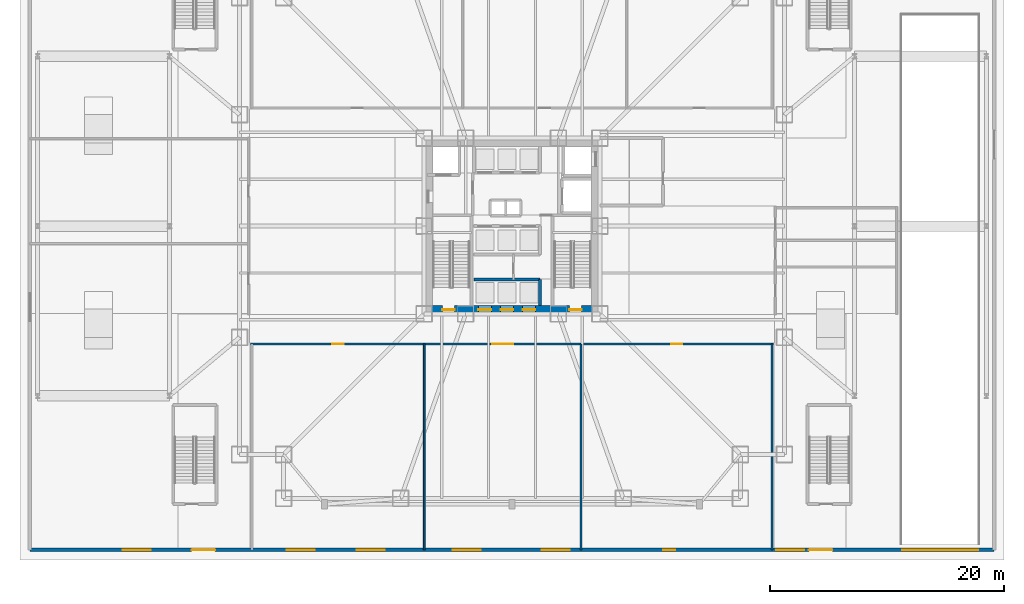
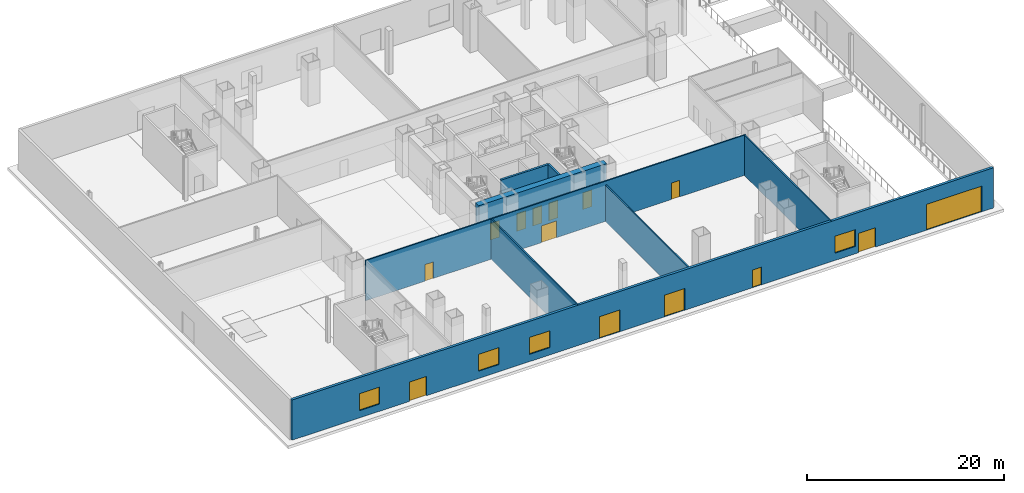
# One storey, part 7 of 24: 14 doors, 8 walls, 4 windows, 18 openings.
"""IFC4 building model written with IfcOpenShell, lengths in metres."""

from ifc_helpers import new_model, si_unit, direction, frame, frame_2d, origin, place, context, subcontext, project, spatial, rectangle, extrude, material, layer, layer_set, type_object, element, fill, save


model = new_model("IFC4")

# Units and contexts
model_context = context("Model", 3, precision=1e-05, world=origin(), true_north=direction((0.0, 1.0)))
body_context = subcontext(model_context, "Body", "Model", "MODEL_VIEW")
ifc_project = project(units=[si_unit("LENGTHUNIT", "METRE"), si_unit("AREAUNIT", "SQUARE_METRE"), si_unit("VOLUMEUNIT", "CUBIC_METRE"), si_unit("PLANEANGLEUNIT", "RADIAN"), si_unit("MASSUNIT", "GRAM", prefix="KILO")], contexts=[model_context])

# Site, building, storey
site_placement = place(None, origin())
site = spatial("IfcSite", under=ifc_project, at=site_placement, CompositionType="ELEMENT")
building_placement = place(site_placement, origin())
building = spatial("IfcBuilding", under=site, at=building_placement, Name="Trevonay Congress Spire", CompositionType="ELEMENT")
storey_placement = place(building_placement, origin())
storey = spatial("IfcBuildingStorey", under=building, at=storey_placement, Name="L00", CompositionType="ELEMENT", Elevation=0.0)

# Wall, openings, doors
ifc_material_1 = material(Name="Concrete C60/75", Category="concrete")
ifc_layer_1 = layer(ifc_material_1, 0.699951171875, Name="Concrete C60/75")
ifc_layer_set_1 = layer_set([ifc_layer_1], Name="Concrete C60/75")
wall_type_1 = type_object("IfcWallType", Name="WAL-CORE-700", PredefinedType="SHEAR", material=ifc_layer_set_1)
wall_1_placement = place(storey_placement, frame((-7.5, -7.14990234375, 0.0), z_axis=(0.0, 0.0, 1.0), x_axis=(1.0, 0.0, 0.0)))
wall_1 = element("IfcWall", 1, at=wall_1_placement, inside=storey, type_object=wall_type_1, Name="L00 South structural core shear wall", PredefinedType="SHEAR", context=body_context, shape_type="SweptSolid", body=[
    extrude(rectangle(XDim=15.0, YDim=0.699951171875, at=frame_2d((7.5, 0.0))), origin(), (0.0, 0.0, 1.0), 5.0),
])
opening_1_placement = place(wall_1_placement, frame((1.550048828125, 0.0, 0.0)))
opening_1 = element("IfcOpeningElement", 2, at=opening_1_placement, cuts=wall_1, Name="Opening D05", PredefinedType="OPENING", context=body_context, shape_type="SweptSolid", body=[
    extrude(rectangle(XDim=1.050048828125, YDim=2.080078125, at=frame_2d((0.52490234375, 1.0400390625))), frame((0.0, 0.35986328125, 0.0), z_axis=(0.0, -1.0, 0.0), x_axis=(1.0, 0.0, 0.0)), (0.0, 0.0, 1.0), 0.719970703125),
])
opening_2_placement = place(wall_1_placement, frame((12.39990234375, 0.0, 0.0)))
opening_2 = element("IfcOpeningElement", 3, at=opening_2_placement, cuts=wall_1, Name="Opening D05", PredefinedType="OPENING", context=body_context, shape_type="SweptSolid", body=[
    extrude(rectangle(XDim=1.050048828125, YDim=2.080078125, at=frame_2d((0.52490234375, 1.0400390625))), frame((0.0, 0.35986328125, 0.0), z_axis=(0.0, -1.0, 0.0), x_axis=(1.0, 0.0, 0.0)), (0.0, 0.0, 1.0), 0.719970703125),
])
opening_3_placement = place(wall_1_placement, frame((4.639892578125, 0.0, 0.0)))
opening_3 = element("IfcOpeningElement", 4, at=opening_3_placement, cuts=wall_1, Name="Opening LD01", PredefinedType="OPENING", context=body_context, shape_type="SweptSolid", body=[
    extrude(rectangle(XDim=1.10009765625, YDim=2.199951171875, at=frame_2d((0.550048828125, 1.10009765625))), frame((0.0, 0.35986328125, 0.0), z_axis=(0.0, -1.0, 0.0), x_axis=(1.0, 0.0, 0.0)), (0.0, 0.0, 1.0), 0.719970703125),
])
opening_4_placement = place(wall_1_placement, frame((6.52001953125, 0.0, 0.0)))
opening_4 = element("IfcOpeningElement", 5, at=opening_4_placement, cuts=wall_1, Name="Opening LD01", PredefinedType="OPENING", context=body_context, shape_type="SweptSolid", body=[
    extrude(rectangle(XDim=1.10009765625, YDim=2.199951171875, at=frame_2d((0.550048828125, 1.10009765625))), frame((0.0, 0.35986328125, 0.0), z_axis=(0.0, -1.0, 0.0), x_axis=(1.0, 0.0, 0.0)), (0.0, 0.0, 1.0), 0.719970703125),
])
opening_5_placement = place(wall_1_placement, frame((8.39990234375, 0.0, 0.0)))
opening_5 = element("IfcOpeningElement", 6, at=opening_5_placement, cuts=wall_1, Name="Opening LD01", PredefinedType="OPENING", context=body_context, shape_type="SweptSolid", body=[
    extrude(rectangle(XDim=1.10009765625, YDim=2.199951171875, at=frame_2d((0.550048828125, 1.10009765625))), frame((0.0, 0.35986328125, 0.0), z_axis=(0.0, -1.0, 0.0), x_axis=(1.0, 0.0, 0.0)), (0.0, 0.0, 1.0), 0.719970703125),
])
ifc_material_2 = material(Name="Pale Anodised Aluminium EN AW-6063-T6", Category="aluminium")
door_type_1 = type_object("IfcDoorType", Name="DOR-LIFT-LD01", OperationType="DOUBLE_DOOR_SLIDING", PredefinedType="DOOR", material=ifc_material_2)
door_1_placement = place(opening_3_placement, origin())
door_1 = element("IfcDoor", 7, at=door_1_placement, inside=storey, type_object=door_type_1, Name="L00 Passenger lift PL-01 landing door", OperationType="DOUBLE_DOOR_SLIDING", OverallHeight=2.199951171875, OverallWidth=1.10009765625, PredefinedType="DOOR", context=body_context, shape_type="SweptSolid", body=[
    extrude(rectangle(XDim=1.10009765625, YDim=2.199951171875, at=frame_2d((0.550048828125, 1.10009765625))), frame((0.0, 0.02490234375, 0.0), z_axis=(0.0, -1.0, 0.0), x_axis=(1.0, 0.0, 0.0)), (0.0, 0.0, 1.0), 0.050048828125),
])
fill(opening_3, door_1)
door_2_placement = place(opening_4_placement, origin())
door_2 = element("IfcDoor", 8, at=door_2_placement, inside=storey, type_object=door_type_1, Name="L00 Passenger lift PL-02 landing door", OperationType="DOUBLE_DOOR_SLIDING", OverallHeight=2.199951171875, OverallWidth=1.10009765625, PredefinedType="DOOR", context=body_context, shape_type="SweptSolid", body=[
    extrude(rectangle(XDim=1.10009765625, YDim=2.199951171875, at=frame_2d((0.550048828125, 1.10009765625))), frame((0.0, 0.02490234375, 0.0), z_axis=(0.0, -1.0, 0.0), x_axis=(1.0, 0.0, 0.0)), (0.0, 0.0, 1.0), 0.050048828125),
])
fill(opening_4, door_2)
door_3_placement = place(opening_5_placement, origin())
door_3 = element("IfcDoor", 9, at=door_3_placement, inside=storey, type_object=door_type_1, Name="L00 Passenger lift PL-03 landing door", OperationType="DOUBLE_DOOR_SLIDING", OverallHeight=2.199951171875, OverallWidth=1.10009765625, PredefinedType="DOOR", context=body_context, shape_type="SweptSolid", body=[
    extrude(rectangle(XDim=1.10009765625, YDim=2.199951171875, at=frame_2d((0.550048828125, 1.10009765625))), frame((0.0, 0.02490234375, 0.0), z_axis=(0.0, -1.0, 0.0), x_axis=(1.0, 0.0, 0.0)), (0.0, 0.0, 1.0), 0.050048828125),
])
fill(opening_5, door_3)
ifc_material_3 = material(Name="Steel ASTM A572 Grade 50", Category="steel")
door_type_2 = type_object("IfcDoorType", Name="DOR-STAIR-110", OperationType="NOTDEFINED", PredefinedType="DOOR", material=ifc_material_3)
door_4_placement = place(opening_1_placement, origin())
door_4 = element("IfcDoor", 10, at=door_4_placement, inside=storey, type_object=door_type_2, Name="L00 Protected Stair ST-1 Door", OperationType="SINGLE_SWING_LEFT", OverallHeight=2.080078125, OverallWidth=1.050048828125, PredefinedType="DOOR", context=body_context, shape_type="SweptSolid", body=[
    extrude(rectangle(XDim=1.050048828125, YDim=2.080078125, at=frame_2d((0.52490234375, 1.0400390625))), frame((0.0, 0.02490234375, 0.0), z_axis=(0.0, -1.0, 0.0), x_axis=(1.0, 0.0, 0.0)), (0.0, 0.0, 1.0), 0.050048828125),
])
fill(opening_1, door_4)
door_5_placement = place(opening_2_placement, origin())
door_5 = element("IfcDoor", 11, at=door_5_placement, inside=storey, type_object=door_type_2, Name="L00 Protected Stair ST-2 Door", OperationType="SINGLE_SWING_RIGHT", OverallHeight=2.080078125, OverallWidth=1.050048828125, PredefinedType="DOOR", context=body_context, shape_type="SweptSolid", body=[
    extrude(rectangle(XDim=1.050048828125, YDim=2.080078125, at=frame_2d((0.52490234375, 1.0400390625))), frame((0.0, 0.02490234375, 0.0), z_axis=(0.0, -1.0, 0.0), x_axis=(1.0, 0.0, 0.0)), (0.0, 0.0, 1.0), 0.050048828125),
])
fill(opening_2, door_5)

ifc_material_4 = material(Name="Concrete C40/50", Category="concrete")
ifc_layer_2 = layer(ifc_material_4, 0.14990234375, Name="Concrete C40/50")
ifc_layer_set_2 = layer_set([ifc_layer_2], Name="Concrete C40/50")
wall_type_2 = type_object("IfcWallType", Name="WAL-CORR-150", PredefinedType="PARTITIONING", material=ifc_layer_set_2)
wall_2_placement = place(storey_placement, frame((-22.320068359375, -10.080078125, 0.0), z_axis=(0.0, 0.0, 1.0), x_axis=(1.0, 0.0, 0.0)))
wall_2 = element("IfcWall", 12, at=wall_2_placement, inside=storey, type_object=wall_type_2, Name="L00 interior wall WP-L00S-COR", PredefinedType="PARTITIONING", context=body_context, shape_type="SweptSolid", body=[
    extrude(rectangle(XDim=44.64013671875, YDim=0.14990234375, at=frame_2d((22.320068359375, 0.0))), origin(), (0.0, 0.0, 1.0), 5.0),
])
opening_6_placement = place(wall_2_placement, frame((6.9951171875, 0.0, 0.0)))
opening_6 = element("IfcOpeningElement", 13, at=opening_6_placement, cuts=wall_2, Name="Opening D07", PredefinedType="OPENING", context=body_context, shape_type="SweptSolid", body=[
    extrude(rectangle(XDim=0.949951171875, YDim=2.06005859375, at=frame_2d((0.47509765625, 1.030029296875))), frame((0.0, 0.0849609375, 0.0), z_axis=(0.0, -1.0, 0.0), x_axis=(1.0, 0.0, 0.0)), (0.0, 0.0, 1.0), 0.169921875),
])
opening_7_placement = place(wall_2_placement, frame((20.6201171875, 0.0, 0.0)))
opening_7 = element("IfcOpeningElement", 14, at=opening_7_placement, cuts=wall_2, Name="Opening D09", PredefinedType="OPENING", context=body_context, shape_type="SweptSolid", body=[
    extrude(rectangle(XDim=1.800048828125, YDim=2.080078125, at=frame_2d((0.89990234375, 1.0400390625))), frame((0.0, 0.0849609375, 0.0), z_axis=(0.0, -1.0, 0.0), x_axis=(1.0, 0.0, 0.0)), (0.0, 0.0, 1.0), 0.169921875),
])
opening_8_placement = place(wall_2_placement, frame((35.89501953125, 0.0, 0.0)))
opening_8 = element("IfcOpeningElement", 15, at=opening_8_placement, cuts=wall_2, Name="Opening D07", PredefinedType="OPENING", context=body_context, shape_type="SweptSolid", body=[
    extrude(rectangle(XDim=0.949951171875, YDim=2.06005859375, at=frame_2d((0.47509765625, 1.030029296875))), frame((0.0, 0.0849609375, 0.0), z_axis=(0.0, -1.0, 0.0), x_axis=(1.0, 0.0, 0.0)), (0.0, 0.0, 1.0), 0.169921875),
])
door_type_3 = type_object("IfcDoorType", Name="DOR-CONF-DBL", OperationType="DOUBLE_DOOR_SINGLE_SWING", PredefinedType="DOOR", material=ifc_material_2)
door_6_placement = place(opening_7_placement, origin())
door_6 = element("IfcDoor", 16, at=door_6_placement, inside=storey, type_object=door_type_3, Name="L00 Registration Concourse Door", OperationType="DOUBLE_DOOR_SINGLE_SWING", OverallHeight=2.080078125, OverallWidth=1.800048828125, PredefinedType="DOOR", context=body_context, shape_type="SweptSolid", body=[
    extrude(rectangle(XDim=1.800048828125, YDim=2.080078125, at=frame_2d((0.89990234375, 1.0400390625))), frame((0.0, 0.02490234375, 0.0), z_axis=(0.0, -1.0, 0.0), x_axis=(1.0, 0.0, 0.0)), (0.0, 0.0, 1.0), 0.050048828125),
])
fill(opening_7, door_6)
door_type_4 = type_object("IfcDoorType", Name="DOR-OFFICE-95", OperationType="NOTDEFINED", PredefinedType="DOOR", material=ifc_material_2)
door_7_placement = place(opening_6_placement, origin())
door_7 = element("IfcDoor", 17, at=door_7_placement, inside=storey, type_object=door_type_4, Name="L00 Main Entrance Lobby Door", OperationType="SINGLE_SWING_RIGHT", OverallHeight=2.06005859375, OverallWidth=0.949951171875, PredefinedType="DOOR", context=body_context, shape_type="SweptSolid", body=[
    extrude(rectangle(XDim=0.949951171875, YDim=2.06005859375, at=frame_2d((0.47509765625, 1.030029296875))), frame((0.0, 0.02490234375, 0.0), z_axis=(0.0, -1.0, 0.0), x_axis=(1.0, 0.0, 0.0)), (0.0, 0.0, 1.0), 0.050048828125),
])
fill(opening_6, door_7)
door_8_placement = place(opening_8_placement, origin())
door_8 = element("IfcDoor", 18, at=door_8_placement, inside=storey, type_object=door_type_4, Name="L00 Fire Command Centre Door", OperationType="SINGLE_SWING_LEFT", OverallHeight=2.06005859375, OverallWidth=0.949951171875, PredefinedType="DOOR", context=body_context, shape_type="SweptSolid", body=[
    extrude(rectangle(XDim=0.949951171875, YDim=2.06005859375, at=frame_2d((0.47509765625, 1.030029296875))), frame((0.0, 0.02490234375, 0.0), z_axis=(0.0, -1.0, 0.0), x_axis=(1.0, 0.0, 0.0)), (0.0, 0.0, 1.0), 0.050048828125),
])
fill(opening_8, door_8)

# Wall, openings, doors, windows
ifc_material_5 = material(Name="Precast concrete C40/50", Category="concrete")
ifc_layer_3 = layer(ifc_material_5, 0.300048828125, Name="Precast concrete C40/50")
ifc_layer_set_3 = layer_set([ifc_layer_3], Name="Precast concrete C40/50")
wall_type_3 = type_object("IfcWallType", Name="WAL-EXT-PRECAST-300", PredefinedType="SOLIDWALL", material=ifc_layer_set_3)
wall_3_placement = place(storey_placement, frame((41.14990234375, -27.64990234375, 0.0), z_axis=(0.0, 0.0, 1.0), x_axis=(-1.0, 0.0, 0.0)))
wall_3 = element("IfcWall", 19, at=wall_3_placement, inside=storey, type_object=wall_type_3, Name="L00 South street facade backup wall", PredefinedType="SOLIDWALL", context=body_context, shape_type="SweptSolid", body=[
    extrude(rectangle(XDim=82.2998046875, YDim=0.300048828125, at=frame_2d((41.14990234375, 0.0))), origin(), (0.0, 0.0, 1.0), 5.0),
])
opening_9_placement = place(wall_3_placement, frame((1.35009765625, 0.0, 0.0)))
opening_9 = element("IfcOpeningElement", 20, at=opening_9_placement, cuts=wall_3, Name="Opening VG01", PredefinedType="OPENING", context=body_context, shape_type="SweptSolid", body=[
    extrude(rectangle(XDim=6.5, YDim=3.199951171875, at=frame_2d((3.25, 1.60009765625))), frame((0.0, 0.16015625, 0.0), z_axis=(0.0, -1.0, 0.0), x_axis=(1.0, 0.0, 0.0)), (0.0, 0.0, 1.0), 0.320068359375),
])
opening_10_placement = place(wall_3_placement, frame((13.800048828125, 0.0, 0.0)))
opening_10 = element("IfcOpeningElement", 21, at=opening_10_placement, cuts=wall_3, Name="Opening D02", PredefinedType="OPENING", context=body_context, shape_type="SweptSolid", body=[
    extrude(rectangle(XDim=2.0, YDim=2.39990234375, at=frame_2d((1.0, 1.199951171875))), frame((0.0, 0.16015625, 0.0), z_axis=(0.0, -1.0, 0.0), x_axis=(1.0, 0.0, 0.0)), (0.0, 0.0, 1.0), 0.320068359375),
])
opening_11_placement = place(wall_3_placement, frame((27.199951171875, 0.0, 0.0)))
opening_11 = element("IfcOpeningElement", 22, at=opening_11_placement, cuts=wall_3, Name="Opening D04", PredefinedType="OPENING", context=body_context, shape_type="SweptSolid", body=[
    extrude(rectangle(XDim=1.050048828125, YDim=2.199951171875, at=frame_2d((0.52490234375, 1.10009765625))), frame((0.0, 0.16015625, 0.0), z_axis=(0.0, -1.0, 0.0), x_axis=(1.0, 0.0, 0.0)), (0.0, 0.0, 1.0), 0.320068359375),
])
opening_12_placement = place(wall_3_placement, frame((36.199951171875, 0.0, 0.0)))
opening_12 = element("IfcOpeningElement", 23, at=opening_12_placement, cuts=wall_3, Name="Opening D01", PredefinedType="OPENING", context=body_context, shape_type="SweptSolid", body=[
    extrude(rectangle(XDim=2.39990234375, YDim=2.699951171875, at=frame_2d((1.199951171875, 1.35009765625))), frame((0.0, 0.16015625, 0.0), z_axis=(0.0, -1.0, 0.0), x_axis=(1.0, 0.0, 0.0)), (0.0, 0.0, 1.0), 0.320068359375),
])
opening_13_placement = place(wall_3_placement, frame((43.800048828125, 0.0, 0.0)))
opening_13 = element("IfcOpeningElement", 24, at=opening_13_placement, cuts=wall_3, Name="Opening D01", PredefinedType="OPENING", context=body_context, shape_type="SweptSolid", body=[
    extrude(rectangle(XDim=2.39990234375, YDim=2.699951171875, at=frame_2d((1.199951171875, 1.35009765625))), frame((0.0, 0.16015625, 0.0), z_axis=(0.0, -1.0, 0.0), x_axis=(1.0, 0.0, 0.0)), (0.0, 0.0, 1.0), 0.320068359375),
])
opening_14_placement = place(wall_3_placement, frame((66.5, 0.0, 0.0)))
opening_14 = element("IfcOpeningElement", 25, at=opening_14_placement, cuts=wall_3, Name="Opening D02", PredefinedType="OPENING", context=body_context, shape_type="SweptSolid", body=[
    extrude(rectangle(XDim=2.0, YDim=2.39990234375, at=frame_2d((1.0, 1.199951171875))), frame((0.0, 0.16015625, 0.0), z_axis=(0.0, -1.0, 0.0), x_axis=(1.0, 0.0, 0.0)), (0.0, 0.0, 1.0), 0.320068359375),
])
opening_15_placement = place(wall_3_placement, frame((16.199951171875, 0.0, 0.89990234375)))
opening_15 = element("IfcOpeningElement", 26, at=opening_15_placement, cuts=wall_3, Name="Opening WN02", PredefinedType="OPENING", context=body_context, shape_type="SweptSolid", body=[
    extrude(rectangle(XDim=2.39990234375, YDim=2.10009765625, at=frame_2d((1.199951171875, 1.050048828125))), frame((0.0, 0.16015625, 0.0), z_axis=(0.0, -1.0, 0.0), x_axis=(1.0, 0.0, 0.0)), (0.0, 0.0, 1.0), 0.320068359375),
])
opening_16_placement = place(wall_3_placement, frame((52.0, 0.0, 0.89990234375)))
opening_16 = element("IfcOpeningElement", 27, at=opening_16_placement, cuts=wall_3, Name="Opening WN02", PredefinedType="OPENING", context=body_context, shape_type="SweptSolid", body=[
    extrude(rectangle(XDim=2.39990234375, YDim=2.10009765625, at=frame_2d((1.199951171875, 1.050048828125))), frame((0.0, 0.16015625, 0.0), z_axis=(0.0, -1.0, 0.0), x_axis=(1.0, 0.0, 0.0)), (0.0, 0.0, 1.0), 0.320068359375),
])
opening_17_placement = place(wall_3_placement, frame((58.0, 0.0, 0.89990234375)))
opening_17 = element("IfcOpeningElement", 28, at=opening_17_placement, cuts=wall_3, Name="Opening WN02", PredefinedType="OPENING", context=body_context, shape_type="SweptSolid", body=[
    extrude(rectangle(XDim=2.39990234375, YDim=2.10009765625, at=frame_2d((1.199951171875, 1.050048828125))), frame((0.0, 0.16015625, 0.0), z_axis=(0.0, -1.0, 0.0), x_axis=(1.0, 0.0, 0.0)), (0.0, 0.0, 1.0), 0.320068359375),
])
opening_18_placement = place(wall_3_placement, frame((72.0, 0.0, 0.89990234375)))
opening_18 = element("IfcOpeningElement", 29, at=opening_18_placement, cuts=wall_3, Name="Opening WN02", PredefinedType="OPENING", context=body_context, shape_type="SweptSolid", body=[
    extrude(rectangle(XDim=2.39990234375, YDim=2.10009765625, at=frame_2d((1.199951171875, 1.050048828125))), frame((0.0, 0.16015625, 0.0), z_axis=(0.0, -1.0, 0.0), x_axis=(1.0, 0.0, 0.0)), (0.0, 0.0, 1.0), 0.320068359375),
])
door_type_5 = type_object("IfcDoorType", Name="DOR-EXT-ENTR-DBL", OperationType="DOUBLE_DOOR_SINGLE_SWING", PredefinedType="DOOR", material=ifc_material_2)
door_9_placement = place(opening_12_placement, origin())
door_9 = element("IfcDoor", 30, at=door_9_placement, inside=storey, type_object=door_type_5, Name="Main Entrance South East Portal Door", OperationType="DOUBLE_DOOR_SINGLE_SWING", OverallHeight=2.699951171875, OverallWidth=2.39990234375, PredefinedType="DOOR", context=body_context, shape_type="SweptSolid", body=[
    extrude(rectangle(XDim=2.39990234375, YDim=2.699951171875, at=frame_2d((1.199951171875, 1.35009765625))), frame((0.0, 0.02490234375, 0.0), z_axis=(0.0, -1.0, 0.0), x_axis=(1.0, 0.0, 0.0)), (0.0, 0.0, 1.0), 0.050048828125),
])
fill(opening_12, door_9)
door_10_placement = place(opening_13_placement, origin())
door_10 = element("IfcDoor", 31, at=door_10_placement, inside=storey, type_object=door_type_5, Name="Main Entrance South West Portal Door", OperationType="DOUBLE_DOOR_SINGLE_SWING", OverallHeight=2.699951171875, OverallWidth=2.39990234375, PredefinedType="DOOR", context=body_context, shape_type="SweptSolid", body=[
    extrude(rectangle(XDim=2.39990234375, YDim=2.699951171875, at=frame_2d((1.199951171875, 1.35009765625))), frame((0.0, 0.02490234375, 0.0), z_axis=(0.0, -1.0, 0.0), x_axis=(1.0, 0.0, 0.0)), (0.0, 0.0, 1.0), 0.050048828125),
])
fill(opening_13, door_10)
door_type_6 = type_object("IfcDoorType", Name="DOR-EXT-EXIT-DBL", OperationType="DOUBLE_DOOR_SINGLE_SWING", PredefinedType="DOOR", material=ifc_material_2)
door_11_placement = place(opening_10_placement, origin())
door_11 = element("IfcDoor", 32, at=door_11_placement, inside=storey, type_object=door_type_6, Name="L00 South-East protected exit discharge door", OperationType="DOUBLE_DOOR_SINGLE_SWING", OverallHeight=2.39990234375, OverallWidth=2.0, PredefinedType="DOOR", context=body_context, shape_type="SweptSolid", body=[
    extrude(rectangle(XDim=2.0, YDim=2.39990234375, at=frame_2d((1.0, 1.199951171875))), frame((0.0, 0.02490234375, 0.0), z_axis=(0.0, -1.0, 0.0), x_axis=(1.0, 0.0, 0.0)), (0.0, 0.0, 1.0), 0.050048828125),
])
fill(opening_10, door_11)
door_12_placement = place(opening_14_placement, origin())
door_12 = element("IfcDoor", 33, at=door_12_placement, inside=storey, type_object=door_type_6, Name="L00 South-West protected exit discharge door", OperationType="DOUBLE_DOOR_SINGLE_SWING", OverallHeight=2.39990234375, OverallWidth=2.0, PredefinedType="DOOR", context=body_context, shape_type="SweptSolid", body=[
    extrude(rectangle(XDim=2.0, YDim=2.39990234375, at=frame_2d((1.0, 1.199951171875))), frame((0.0, 0.02490234375, 0.0), z_axis=(0.0, -1.0, 0.0), x_axis=(1.0, 0.0, 0.0)), (0.0, 0.0, 1.0), 0.050048828125),
])
fill(opening_14, door_12)
door_type_7 = type_object("IfcDoorType", Name="DOR-EXT-FCC-100", OperationType="NOTDEFINED", PredefinedType="DOOR", material=ifc_material_2)
door_13_placement = place(opening_11_placement, origin())
door_13 = element("IfcDoor", 34, at=door_13_placement, inside=storey, type_object=door_type_7, Name="Fire Command Centre direct exterior response door", OperationType="SINGLE_SWING_LEFT", OverallHeight=2.199951171875, OverallWidth=1.050048828125, PredefinedType="DOOR", context=body_context, shape_type="SweptSolid", body=[
    extrude(rectangle(XDim=1.050048828125, YDim=2.199951171875, at=frame_2d((0.52490234375, 1.10009765625))), frame((0.0, 0.02490234375, 0.0), z_axis=(0.0, -1.0, 0.0), x_axis=(1.0, 0.0, 0.0)), (0.0, 0.0, 1.0), 0.050048828125),
])
fill(opening_11, door_13)
door_type_8 = type_object("IfcDoorType", Name="GAT-VEH-ROLLER-650", OperationType="ROLLINGUP", PredefinedType="GATE", material=ifc_material_2)
door_14_placement = place(opening_9_placement, origin())
door_14 = element("IfcDoor", 35, at=door_14_placement, inside=storey, type_object=door_type_8, Name="Basement car park vehicle ramp roller shutter gate VG01", OperationType="SINGLE_SWING_LEFT", OverallHeight=3.199951171875, OverallWidth=6.5, PredefinedType="GATE", context=body_context, shape_type="SweptSolid", body=[
    extrude(rectangle(XDim=6.5, YDim=3.199951171875, at=frame_2d((3.25, 1.60009765625))), frame((0.0, 0.02490234375, 0.0), z_axis=(0.0, -1.0, 0.0), x_axis=(1.0, 0.0, 0.0)), (0.0, 0.0, 1.0), 0.050048828125),
])
fill(opening_9, door_14)
ifc_material_6 = material(Name="Insulated Low-E Vision Glass IGU", Category="glass")
window_type = type_object("IfcWindowType", Name="WIN-PODIUM-240X210", PartitioningType="SINGLE_PANEL", PredefinedType="WINDOW", material=ifc_material_6)
window_1_placement = place(opening_15_placement, origin())
window_1 = element("IfcWindow", 36, at=window_1_placement, inside=storey, type_object=window_type, Name="L00 South concourse storefront window 1", OverallHeight=2.10009765625, OverallWidth=2.39990234375, PartitioningType="SINGLE_PANEL", PredefinedType="WINDOW", context=body_context, shape_type="SweptSolid", body=[
    extrude(rectangle(XDim=2.39990234375, YDim=2.10009765625, at=frame_2d((1.199951171875, 1.050048828125))), frame((0.0, 0.030029296875, 0.0), z_axis=(0.0, -1.0, 0.0), x_axis=(1.0, 0.0, 0.0)), (0.0, 0.0, 1.0), 0.06005859375),
])
fill(opening_15, window_1)
window_2_placement = place(opening_16_placement, origin())
window_2 = element("IfcWindow", 37, at=window_2_placement, inside=storey, type_object=window_type, Name="L00 South concourse storefront window 2", OverallHeight=2.10009765625, OverallWidth=2.39990234375, PartitioningType="SINGLE_PANEL", PredefinedType="WINDOW", context=body_context, shape_type="SweptSolid", body=[
    extrude(rectangle(XDim=2.39990234375, YDim=2.10009765625, at=frame_2d((1.199951171875, 1.050048828125))), frame((0.0, 0.030029296875, 0.0), z_axis=(0.0, -1.0, 0.0), x_axis=(1.0, 0.0, 0.0)), (0.0, 0.0, 1.0), 0.06005859375),
])
fill(opening_16, window_2)
window_3_placement = place(opening_17_placement, origin())
window_3 = element("IfcWindow", 38, at=window_3_placement, inside=storey, type_object=window_type, Name="L00 South concourse storefront window 3", OverallHeight=2.10009765625, OverallWidth=2.39990234375, PartitioningType="SINGLE_PANEL", PredefinedType="WINDOW", context=body_context, shape_type="SweptSolid", body=[
    extrude(rectangle(XDim=2.39990234375, YDim=2.10009765625, at=frame_2d((1.199951171875, 1.050048828125))), frame((0.0, 0.030029296875, 0.0), z_axis=(0.0, -1.0, 0.0), x_axis=(1.0, 0.0, 0.0)), (0.0, 0.0, 1.0), 0.06005859375),
])
fill(opening_17, window_3)
window_4_placement = place(opening_18_placement, origin())
window_4 = element("IfcWindow", 39, at=window_4_placement, inside=storey, type_object=window_type, Name="L00 South concourse storefront window 4", OverallHeight=2.10009765625, OverallWidth=2.39990234375, PartitioningType="SINGLE_PANEL", PredefinedType="WINDOW", context=body_context, shape_type="SweptSolid", body=[
    extrude(rectangle(XDim=2.39990234375, YDim=2.10009765625, at=frame_2d((1.199951171875, 1.050048828125))), frame((0.0, 0.030029296875, 0.0), z_axis=(0.0, -1.0, 0.0), x_axis=(1.0, 0.0, 0.0)), (0.0, 0.0, 1.0), 0.06005859375),
])
fill(opening_18, window_4)

# Walls
ifc_layer_4 = layer(ifc_material_4, 0.14990234375, Name="Concrete C40/50")
ifc_layer_set_4 = layer_set([ifc_layer_4], Name="Concrete C40/50")
wall_type_4 = type_object("IfcWallType", Name="WAL-PART-150", PredefinedType="PARTITIONING", material=ifc_layer_set_4)
wall_4_placement = place(storey_placement, frame((-7.5, -27.64990234375, 0.0), z_axis=(0.0, 0.0, 1.0), x_axis=(0.0, 1.0, 0.0)))
element("IfcWall", 40, at=wall_4_placement, inside=storey, type_object=wall_type_4, Name="L00 interior wall WP-L00S-DIV2", PredefinedType="PARTITIONING", context=body_context, shape_type="SweptSolid", body=[
    extrude(rectangle(XDim=17.56982421875, YDim=0.14990234375, at=frame_2d((8.784912109375, 0.0))), origin(), (0.0, 0.0, 1.0), 5.0),
])
wall_5_placement = place(storey_placement, frame((5.89990234375, -27.64990234375, 0.0), z_axis=(0.0, 0.0, 1.0), x_axis=(0.0, 1.0, 0.0)))
element("IfcWall", 41, at=wall_5_placement, inside=storey, type_object=wall_type_4, Name="L00 interior wall WP-L00S-DIV3", PredefinedType="PARTITIONING", context=body_context, shape_type="SweptSolid", body=[
    extrude(rectangle(XDim=17.56982421875, YDim=0.14990234375, at=frame_2d((8.784912109375, 0.0))), origin(), (0.0, 0.0, 1.0), 4.51806640625),
])
wall_6_placement = place(storey_placement, frame((22.199951171875, -27.64990234375, 0.0), z_axis=(0.0, 0.0, 1.0), x_axis=(0.0, 1.0, 0.0)))
element("IfcWall", 42, at=wall_6_placement, inside=storey, type_object=wall_type_4, Name="L00 interior wall WP-L00S-DIV4", PredefinedType="PARTITIONING", context=body_context, shape_type="SweptSolid", body=[
    extrude(rectangle(XDim=17.56982421875, YDim=0.14990234375, at=frame_2d((8.784912109375, 0.0))), origin(), (0.0, 0.0, 1.0), 5.0),
])
ifc_layer_5 = layer(ifc_material_4, 0.25, Name="Concrete C40/50")
ifc_layer_set_5 = layer_set([ifc_layer_5], Name="Concrete C40/50")
wall_type_5 = type_object("IfcWallType", Name="WAL-SHAFT-250", PredefinedType="SHEAR", material=ifc_layer_set_5)
wall_7_placement = place(storey_placement, frame((-3.260009765625, -4.580078125, 0.0), z_axis=(0.0, 0.0, 1.0), x_axis=(1.0, 0.0, 0.0)))
element("IfcWall", 43, at=wall_7_placement, inside=storey, type_object=wall_type_5, Name="L00 interior shaft wall WSH-L00-B1-N", PredefinedType="SHEAR", context=body_context, shape_type="SweptSolid", body=[
    extrude(rectangle(XDim=5.639892578125, YDim=0.25, at=frame_2d((2.81982421875, 0.0))), origin(), (0.0, 0.0, 1.0), 5.0),
])
wall_8_placement = place(storey_placement, frame((2.3798828125, -6.800048828125, 0.0), z_axis=(0.0, 0.0, 1.0), x_axis=(0.0, 1.0, 0.0)))
element("IfcWall", 44, at=wall_8_placement, inside=storey, type_object=wall_type_5, Name="L00 interior shaft wall WSH-L00-B1-E", PredefinedType="SHEAR", context=body_context, shape_type="SweptSolid", body=[
    extrude(rectangle(XDim=2.219970703125, YDim=0.25, at=frame_2d((1.10986328125, 0.0))), origin(), (0.0, 0.0, 1.0), 5.0),
])

save(model, "model.ifc")
